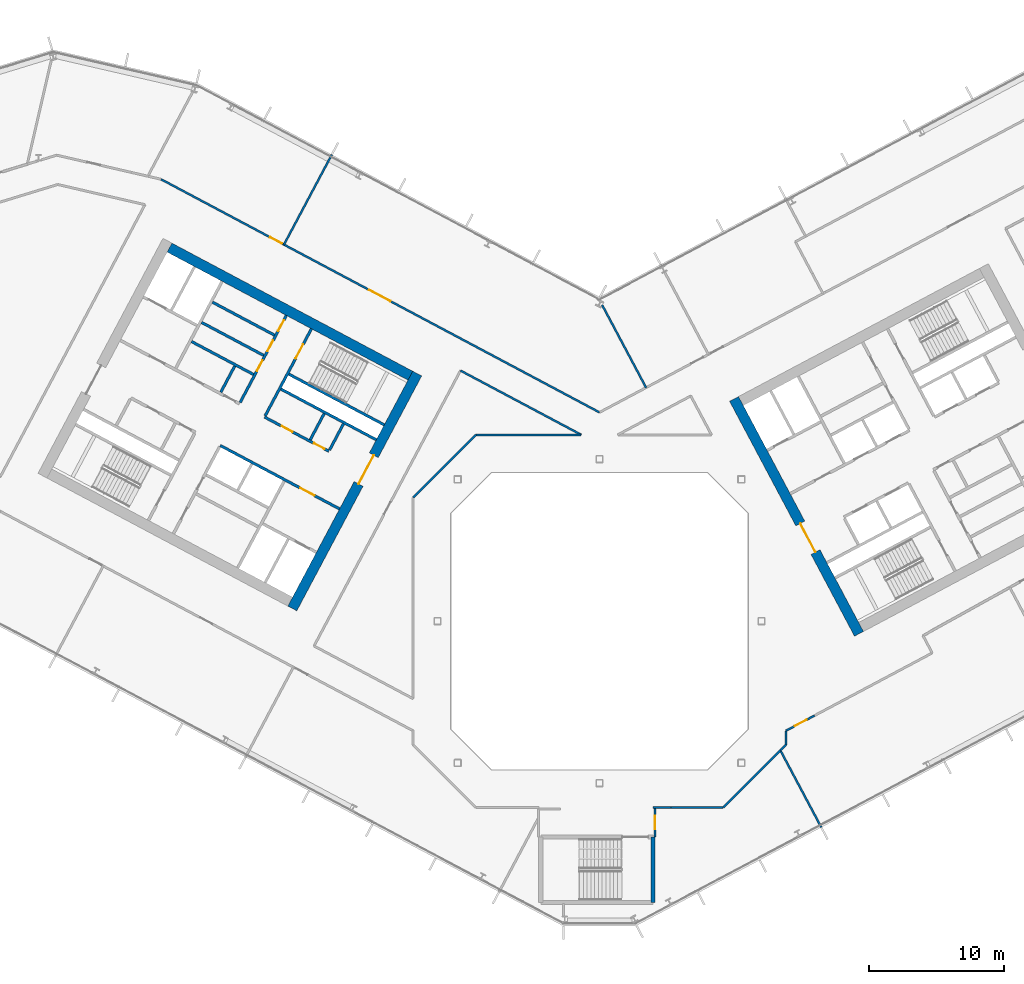
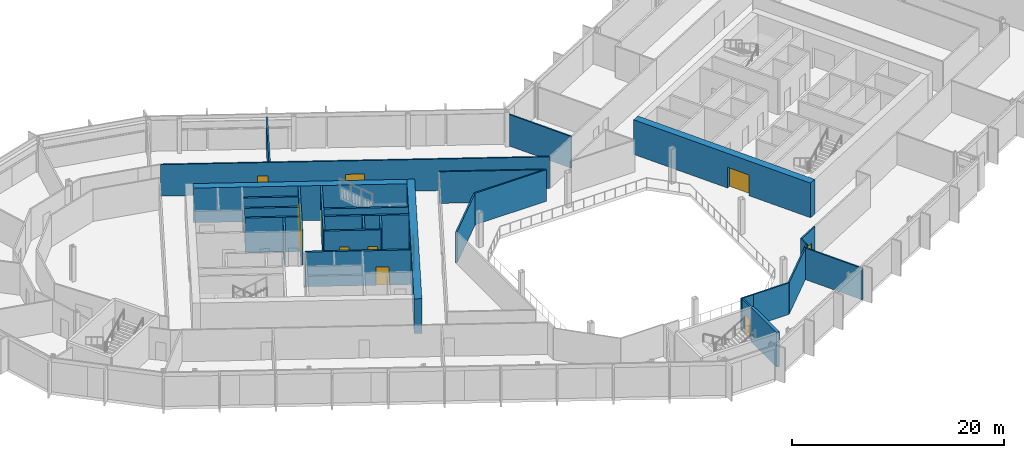
# One storey, part 15 of 28: 30 walls, 13 doors, 13 openings.
"""IFC4 building model written with IfcOpenShell, lengths in metres."""

import ifcopenshell
import ifcopenshell.guid

model = None  # the IFC model being written
_history = None  # IfcOwnerHistory: only IFC2X3 demands one
_inside = {}  # id of a spatial element -> (the spatial element, [elements in it])
_under = {}  # id of a project, library or spatial element -> (it, [spatial elements below it])
_declared = {}  # id of a project -> (the project, [libraries it declares])
_typed = {}  # id of a type object -> (the type object, [elements of that type])
_made_of = {}  # id of a material, layer set ... -> (it, [elements and type objects made of it])


def new_model(schema):
    """Start an empty IFC model of exactly this schema.

    Asked for "IFC4X3", IfcOpenShell would pick the latest addendum, in which some entities
    have other attributes; the version numbers below select the first issue.
    IFC2X3 requires an IfcOwnerHistory on every rooted entity: one is made here for all.
    """
    global model, _history
    if schema == "IFC4X3":
        model = ifcopenshell.file(schema_version=(4, 3, 0, 0))
    else:
        model = ifcopenshell.file(schema=schema)
    _inside.clear()
    _under.clear()
    _declared.clear()
    _typed.clear()
    _made_of.clear()
    _history = None
    if model.schema == "IFC2X3":
        org = make("IfcOrganization", Name="unknown")
        user = make(
            "IfcPersonAndOrganization",
            ThePerson=make("IfcPerson", FamilyName="unknown"),
            TheOrganization=org,
        )
        app = make(
            "IfcApplication",
            ApplicationDeveloper=org,
            Version="unknown",
            ApplicationFullName="unknown",
            ApplicationIdentifier="unknown",
        )
        _history = make(
            "IfcOwnerHistory",
            OwningUser=user,
            OwningApplication=app,
            ChangeAction="ADDED",
            CreationDate=0,
        )
    return model


def make(cls, **values):
    """One entity of the class cls with the attributes given. An attribute that is None is left unset."""
    return model.create_entity(
        cls, **{name: value for name, value in values.items() if value is not None}
    )


def rooted(cls, **values):
    """An entity with a GlobalId (a new one), such as an element, a storey or a relation."""
    return make(cls, GlobalId=ifcopenshell.guid.new(), OwnerHistory=_history, **values)


def si_unit(unit_type, name, prefix=None):
    """IfcSIUnit, for example si_unit("LENGTHUNIT", "METRE", prefix="MILLI")."""
    return make("IfcSIUnit", UnitType=unit_type, Prefix=prefix, Name=name)


def assignment(units):
    """IfcUnitAssignment: the units of a project."""
    return None if units is None else make("IfcUnitAssignment", Units=units)


def point(xyz):
    """IfcCartesianPoint."""
    return None if xyz is None else make("IfcCartesianPoint", Coordinates=xyz)


def direction(xyz):
    """IfcDirection."""
    return None if xyz is None else make("IfcDirection", DirectionRatios=xyz)


def frame(location, z_axis=None, x_axis=None):
    """IfcAxis2Placement3D, a coordinate frame: its origin and axes. An axis left out is left unset."""
    return make(
        "IfcAxis2Placement3D",
        Location=point(location),
        Axis=direction(z_axis),
        RefDirection=direction(x_axis),
    )


def frame_2d(location, x_axis=None):
    """IfcAxis2Placement2D, a coordinate frame in the plane: its origin and x axis."""
    return make(
        "IfcAxis2Placement2D", Location=point(location), RefDirection=direction(x_axis)
    )


def origin():
    """The frame at (0, 0, 0) with its axes left unset."""
    return frame((0.0, 0.0, 0.0))


def place(relative_to, where):
    """IfcLocalPlacement: puts the frame where relative to a parent placement (None: the world)."""
    return make(
        "IfcLocalPlacement", PlacementRelTo=relative_to, RelativePlacement=where
    )


def context(
    kind, dimensions, precision=None, world=None, true_north=None, identifier=None
):
    """IfcGeometricRepresentationContext, for example the 3D "Model" context."""
    return make(
        "IfcGeometricRepresentationContext",
        ContextIdentifier=identifier,
        ContextType=kind,
        CoordinateSpaceDimension=dimensions,
        Precision=precision,
        WorldCoordinateSystem=world,
        TrueNorth=true_north,
    )


def subcontext(parent, identifier, kind, view, scale=None):
    """IfcGeometricRepresentationSubContext, for example "Body" below "Model"."""
    return make(
        "IfcGeometricRepresentationSubContext",
        ContextIdentifier=identifier,
        ContextType=kind,
        ParentContext=parent,
        TargetScale=scale,
        TargetView=view,
    )


def project(units=None, contexts=None):
    """IfcProject with its units and contexts."""
    return rooted(
        "IfcProject",
        Name="project",
        RepresentationContexts=contexts,
        UnitsInContext=assignment(units),
    )


def spatial(cls, under=None, at=None, **own):
    """A site, building, storey or space (cls), placed at a placement, below another one or the project."""
    s = rooted(cls, ObjectPlacement=at, **own)
    if under is not None:
        _under.setdefault(under.id(), (under, []))[1].append(s)
    return s


def profile(cls, at=None, kind="AREA", **sizes):
    """A parametric profile (cls). Its sizes go by their IFC names, for example OverallWidth=200.0."""
    return make(cls, ProfileType=kind, Position=at, **sizes)


def rectangle(**sizes):
    """IfcRectangleProfileDef."""
    return profile("IfcRectangleProfileDef", **sizes)


def extrude(swept, where, along, depth):
    """IfcExtrudedAreaSolid: the profile swept, set in the frame where, extruded along a direction by depth."""
    return make(
        "IfcExtrudedAreaSolid",
        SweptArea=swept,
        Position=where,
        ExtrudedDirection=direction(along),
        Depth=depth,
    )


def shape(context_of_items, identifier, shape_type, items):
    """IfcShapeRepresentation: the items that make up one representation, for example the "Body"."""
    return make(
        "IfcShapeRepresentation",
        ContextOfItems=context_of_items,
        RepresentationIdentifier=identifier,
        RepresentationType=shape_type,
        Items=items,
    )


def material(Name=None, Category=None):
    """IfcMaterial."""
    return make("IfcMaterial", Name=Name, Category=Category)


def layer(
    of_material, thickness, ventilated=None, Name=None, Category=None, Priority=None
):
    """IfcMaterialLayer: one layer of a wall or slab, of a material (None: an air gap)."""
    return make(
        "IfcMaterialLayer",
        Material=of_material,
        LayerThickness=thickness,
        IsVentilated=ventilated,
        Name=Name,
        Category=Category,
        Priority=Priority,
    )


def layer_set(layers, Name=None):
    """IfcMaterialLayerSet."""
    return make("IfcMaterialLayerSet", MaterialLayers=layers, LayerSetName=Name)


def made_of(thing, what):
    """Note that an element or type object is made of a material, layer set ...; save() writes the relation."""
    if what is not None:
        _made_of.setdefault(what.id(), (what, []))[1].append(thing)
    return thing


def type_object(cls, material=None, **own):
    """A type object (cls), such as IfcWallType, which elements share."""
    return made_of(rooted(cls, **own), material)


def element(
    cls,
    number,
    at=None,
    inside=None,
    cuts=None,
    type_object=None,
    material=None,
    context=None,
    identifier="Body",
    shape_type=None,
    held_by="IfcProductDefinitionShape",
    body=None,
    shapes=None,
    **own,
):
    """One element of the class cls, such as IfcWall. Its Tag is "e" and its number.

    at: its placement. inside: the storey or other place that contains it. cuts: it is an
    opening in that element (IfcRelVoidsElement). A single representation is given by context,
    identifier, shape_type and body (its items); several are given by shapes. held_by: the class
    of the entity that holds the representations. save() writes the other relations.
    """
    e = rooted(cls, Tag="e%d" % number, ObjectPlacement=at, **own)
    if body is not None:
        shapes = [shape(context, identifier, shape_type, body)]
    if shapes is not None:
        e.Representation = make(held_by, Representations=shapes)
    if inside is not None:
        _inside.setdefault(inside.id(), (inside, []))[1].append(e)
    if cuts is not None:
        rooted(
            "IfcRelVoidsElement", RelatingBuildingElement=cuts, RelatedOpeningElement=e
        )
    if type_object is not None:
        _typed.setdefault(type_object.id(), (type_object, []))[1].append(e)
    return made_of(e, material)


def fill(opening, filler):
    """IfcRelFillsElement: the door or window that sits in an opening."""
    return rooted(
        "IfcRelFillsElement",
        RelatingOpeningElement=opening,
        RelatedBuildingElement=filler,
    )


def aggregate(whole, parts):
    """IfcRelAggregates: a whole, such as a stair, and the parts it consists of."""
    return rooted("IfcRelAggregates", RelatingObject=whole, RelatedObjects=parts)


def save(model, path):
    """Write the relations noted so far, then the file.

    IfcRelAggregates (storeys below a building ...), IfcRelContainedInSpatialStructure (elements
    in a storey), IfcRelDefinesByType, IfcRelAssociatesMaterial and IfcRelDeclares: one each for
    every whole, place, type object, material and project.
    """
    for whole, parts in _under.values():
        aggregate(whole, parts)
    for where, things in _inside.values():
        rooted(
            "IfcRelContainedInSpatialStructure",
            RelatedElements=things,
            RelatingStructure=where,
        )
    for kind, things in _typed.values():
        rooted("IfcRelDefinesByType", RelatedObjects=things, RelatingType=kind)
    for what, things in _made_of.values():
        rooted("IfcRelAssociatesMaterial", RelatedObjects=things, RelatingMaterial=what)
    for by, libraries in _declared.values():
        rooted("IfcRelDeclares", RelatingContext=by, RelatedDefinitions=libraries)
    model.write(path)


model = new_model("IFC4")

# Units and contexts
model_context = context("Model", 3, precision=1e-05, world=origin(), true_north=direction((0.0, 1.0)))
body_context = subcontext(model_context, "Body", "Model", "MODEL_VIEW")
ifc_project = project(units=[si_unit("LENGTHUNIT", "METRE"), si_unit("AREAUNIT", "SQUARE_METRE"), si_unit("VOLUMEUNIT", "CUBIC_METRE"), si_unit("PLANEANGLEUNIT", "RADIAN"), si_unit("MASSUNIT", "GRAM", prefix="KILO")], contexts=[model_context])

# Site, building, storey
site_placement = place(None, origin())
site = spatial("IfcSite", under=ifc_project, at=site_placement, CompositionType="ELEMENT")
building_placement = place(site_placement, origin())
building = spatial("IfcBuilding", under=site, at=building_placement, Name="Cormorant Relay Tower", CompositionType="ELEMENT")
storey_placement = place(building_placement, frame((0.0, 0.0, 122.199951171875)))
storey = spatial("IfcBuildingStorey", under=building, at=storey_placement, Name="L24", CompositionType="ELEMENT", Elevation=122.199951171875)

# Walls
ifc_material_1 = material(Name="Concrete 40 MPa", Category="concrete")
ifc_layer_1 = layer(ifc_material_1, 0.199951171875)
ifc_layer_set_1 = layer_set([ifc_layer_1], Name="Core internal wall 200")
wall_type_1 = type_object("IfcWallType", Name="Core internal wall 200", PredefinedType="SOLIDWALL", material=ifc_layer_set_1)
for number, where, z_axis, x_axis, name in (
    (1, (-20.39013671875, 15.371826171875, 0.0), (0.0, 0.0, 1.0), (-0.4694473164, -0.882960484464, 0.0), "L24 core A shaft and room wall"),
    (2, (-27.01220703125, 18.892822265625, 0.0), (0.0, 0.0, 1.0), (-0.4694473164, -0.882960484464, 0.0), "L24 core A shaft and room wall"),
):
    element("IfcWall", number, at=place(storey_placement, frame(where, z_axis=z_axis, x_axis=x_axis)), inside=storey, type_object=wall_type_1, Name=name, PredefinedType="SOLIDWALL", context=body_context, shape_type="SweptSolid", body=[
        extrude(rectangle(XDim=2.199951171875, YDim=0.199951171875, at=frame_2d((1.10009765625, 0.0))), origin(), (0.0, 0.0, 1.0), 4.0),
    ])
for number, where, z_axis, x_axis, name in (
    (3, (-24.073974609375, 21.181396484375, 0.0), (0.0, 0.0, 1.0), (-0.882953967957, 0.469459572775, 0.0), "L24 core A shaft and room wall"),
    (4, (-24.8720703125, 19.680419921875, 0.0), (0.0, 0.0, 1.0), (-0.882953967957, 0.469459572775, 0.0), "L24 core A shaft and room wall"),
):
    element("IfcWall", number, at=place(storey_placement, frame(where, z_axis=z_axis, x_axis=x_axis)), inside=storey, type_object=wall_type_1, Name=name, PredefinedType="SOLIDWALL", context=body_context, shape_type="SweptSolid", body=[
        extrude(rectangle(XDim=5.199951171875, YDim=0.199951171875, at=frame_2d((2.60009765625, 0.0))), origin(), (0.0, 0.0, 1.0), 4.0),
    ])
ifc_material_2 = material(Name="Concrete 50 MPa", Category="concrete")
ifc_layer_2 = layer(ifc_material_2, 0.199951171875)
ifc_layer_set_2 = layer_set([ifc_layer_2], Name="Core shaft wall 200")
wall_type_2 = type_object("IfcWallType", Name="Core shaft wall 200", PredefinedType="SHEAR", material=ifc_layer_set_2)
wall_1_placement = place(storey_placement, frame((-18.959716796875, 14.611328125, 0.0), z_axis=(0.0, 0.0, 1.0), x_axis=(-0.4694473164, -0.882960484464, 0.0)))
element("IfcWall", 5, at=wall_1_placement, inside=storey, type_object=wall_type_2, Name="L24 core A shaft wall", PredefinedType="SHEAR", context=body_context, shape_type="SweptSolid", body=[
    extrude(rectangle(XDim=2.199951171875, YDim=0.199951171875, at=frame_2d((1.10009765625, 0.0))), origin(), (0.0, 0.0, 1.0), 4.0),
])

# Wall, opening, door
wall_2_placement = place(storey_placement, frame((-21.333251953125, 21.6494140625, 0.0), z_axis=(0.0, 0.0, 1.0), x_axis=(-0.469494272526, -0.882935517501, 0.0)))
wall_2 = element("IfcWall", 6, at=wall_2_placement, inside=storey, type_object=wall_type_2, Name="L24 core A shaft wall", PredefinedType="SHEAR", context=body_context, shape_type="SweptSolid", body=[
    extrude(rectangle(XDim=7.2998046875, YDim=0.199951171875, at=frame_2d((3.64990234375, 0.0))), origin(), (0.0, 0.0, 1.0), 4.0),
])
opening_1_placement = place(wall_2_placement, frame((1.300048828125, 0.0, 0.0)))
opening_1 = element("IfcOpeningElement", 7, at=opening_1_placement, cuts=wall_2, Name="Opening CDB-034", PredefinedType="OPENING", context=body_context, shape_type="SweptSolid", body=[
    extrude(rectangle(XDim=1.199951171875, YDim=2.10009765625, at=frame_2d((0.60009765625, 1.050048828125))), frame((0.0, 0.10986328125, 0.0), z_axis=(0.0, -1.0, 0.0), x_axis=(1.0, 0.0, 0.0)), (0.0, 0.0, 1.0), 0.219970703125),
])
ifc_material_3 = material(Name="Steel fire door", Category="steel")
door_type_1 = type_object("IfcDoorType", Name="Core stair door 1200x2100", OperationType="SINGLE_SWING_LEFT", PredefinedType="DOOR", material=ifc_material_3)
door_1_placement = place(opening_1_placement, origin())
door_1 = element("IfcDoor", 8, at=door_1_placement, inside=storey, type_object=door_type_1, Name="Core stair door 1200x2100", OperationType="SINGLE_SWING_RIGHT", OverallHeight=2.10009765625, OverallWidth=1.199951171875, PredefinedType="DOOR", context=body_context, shape_type="SweptSolid", body=[
    extrude(rectangle(XDim=1.199951171875, YDim=2.10009765625, at=frame_2d((0.60009765625, 1.050048828125))), frame((0.0, 0.02490234375, 0.0), z_axis=(0.0, -1.0, 0.0), x_axis=(1.0, 0.0, 0.0)), (0.0, 0.0, 1.0), 0.050048828125),
])
fill(opening_1, door_1)

# Wall, openings, doors
wall_3_placement = place(storey_placement, frame((-23.1875, 22.635498046875, 0.0), z_axis=(0.0, 0.0, 1.0), x_axis=(-0.469454336211, -0.882956752176, 0.0)))
wall_3 = element("IfcWall", 9, at=wall_3_placement, inside=storey, type_object=wall_type_2, Name="L24 core A shaft wall", PredefinedType="SHEAR", context=body_context, shape_type="SweptSolid", body=[
    extrude(rectangle(XDim=7.300048828125, YDim=0.199951171875, at=frame_2d((3.64990234375, 0.0))), origin(), (0.0, 0.0, 1.0), 4.0),
])
opening_2_placement = place(wall_3_placement, frame((0.39990234375, 0.0, 0.0)))
opening_2 = element("IfcOpeningElement", 10, at=opening_2_placement, cuts=wall_3, Name="Opening CDD-174", PredefinedType="OPENING", context=body_context, shape_type="SweptSolid", body=[
    extrude(rectangle(XDim=0.89990234375, YDim=2.10009765625, at=frame_2d((0.449951171875, 1.050048828125))), frame((0.0, 0.10986328125, 0.0), z_axis=(0.0, -1.0, 0.0), x_axis=(1.0, 0.0, 0.0)), (0.0, 0.0, 1.0), 0.219970703125),
])
opening_3_placement = place(wall_3_placement, frame((2.10009765625, 0.0, 0.0)))
opening_3 = element("IfcOpeningElement", 11, at=opening_3_placement, cuts=wall_3, Name="Opening CDD-175", PredefinedType="OPENING", context=body_context, shape_type="SweptSolid", body=[
    extrude(rectangle(XDim=0.89990234375, YDim=2.10009765625, at=frame_2d((0.449951171875, 1.050048828125))), frame((0.0, 0.10986328125, 0.0), z_axis=(0.0, -1.0, 0.0), x_axis=(1.0, 0.0, 0.0)), (0.0, 0.0, 1.0), 0.219970703125),
])
opening_4_placement = place(wall_3_placement, frame((3.75, 0.0, 0.0)))
opening_4 = element("IfcOpeningElement", 12, at=opening_4_placement, cuts=wall_3, Name="Opening CDD-176", PredefinedType="OPENING", context=body_context, shape_type="SweptSolid", body=[
    extrude(rectangle(XDim=0.89990234375, YDim=2.10009765625, at=frame_2d((0.449951171875, 1.050048828125))), frame((0.0, 0.10986328125, 0.0), z_axis=(0.0, -1.0, 0.0), x_axis=(1.0, 0.0, 0.0)), (0.0, 0.0, 1.0), 0.219970703125),
])
ifc_material_4 = material(Name="Steel fire door", Category="steel")
door_type_2 = type_object("IfcDoorType", Name="Core room door 900x2100", OperationType="SINGLE_SWING_LEFT", PredefinedType="DOOR", material=ifc_material_4)
door_2_placement = place(opening_2_placement, origin())
door_2 = element("IfcDoor", 13, at=door_2_placement, inside=storey, type_object=door_type_2, Name="Core room door 900x2100", OperationType="SINGLE_SWING_LEFT", OverallHeight=2.10009765625, OverallWidth=0.89990234375, PredefinedType="DOOR", context=body_context, shape_type="SweptSolid", body=[
    extrude(rectangle(XDim=0.89990234375, YDim=2.10009765625, at=frame_2d((0.449951171875, 1.050048828125))), frame((0.0, 0.02490234375, 0.0), z_axis=(0.0, -1.0, 0.0), x_axis=(1.0, 0.0, 0.0)), (0.0, 0.0, 1.0), 0.050048828125),
])
fill(opening_2, door_2)
door_3_placement = place(opening_3_placement, origin())
door_3 = element("IfcDoor", 14, at=door_3_placement, inside=storey, type_object=door_type_2, Name="Core room door 900x2100", OperationType="SINGLE_SWING_LEFT", OverallHeight=2.10009765625, OverallWidth=0.89990234375, PredefinedType="DOOR", context=body_context, shape_type="SweptSolid", body=[
    extrude(rectangle(XDim=0.89990234375, YDim=2.10009765625, at=frame_2d((0.449951171875, 1.050048828125))), frame((0.0, 0.02490234375, 0.0), z_axis=(0.0, -1.0, 0.0), x_axis=(1.0, 0.0, 0.0)), (0.0, 0.0, 1.0), 0.050048828125),
])
fill(opening_3, door_3)
door_4_placement = place(opening_4_placement, origin())
door_4 = element("IfcDoor", 15, at=door_4_placement, inside=storey, type_object=door_type_2, Name="Core room door 900x2100", OperationType="SINGLE_SWING_LEFT", OverallHeight=2.10009765625, OverallWidth=0.89990234375, PredefinedType="DOOR", context=body_context, shape_type="SweptSolid", body=[
    extrude(rectangle(XDim=0.89990234375, YDim=2.10009765625, at=frame_2d((0.449951171875, 1.050048828125))), frame((0.0, 0.02490234375, 0.0), z_axis=(0.0, -1.0, 0.0), x_axis=(1.0, 0.0, 0.0)), (0.0, 0.0, 1.0), 0.050048828125),
])
fill(opening_4, door_4)

# Walls
wall_4_placement = place(storey_placement, frame((-15.94189453125, 14.53564453125, 0.0), z_axis=(0.0, 0.0, 1.0), x_axis=(-0.882946947542, 0.469472776449, 0.0)))
element("IfcWall", 16, at=wall_4_placement, inside=storey, type_object=wall_type_2, Name="L24 core A shaft wall", PredefinedType="SHEAR", context=body_context, shape_type="SweptSolid", body=[
    extrude(rectangle(XDim=8.000244140625, YDim=0.199951171875, at=frame_2d((4.0, 0.0))), origin(), (0.0, 0.0, 1.0), 4.0),
])
wall_5_placement = place(storey_placement, frame((-16.52880859375, 13.43212890625, 0.0), z_axis=(0.0, 0.0, 1.0), x_axis=(-0.88295287151, 0.469461634952, 0.0)))
element("IfcWall", 17, at=wall_5_placement, inside=storey, type_object=wall_type_2, Name="L24 core A shaft wall", PredefinedType="SHEAR", context=body_context, shape_type="SweptSolid", body=[
    extrude(rectangle(XDim=7.999755859375, YDim=0.199951171875, at=frame_2d((4.0, 0.0))), origin(), (0.0, 0.0, 1.0), 4.0),
])
wall_6_placement = place(storey_placement, frame((-25.623046875, 18.267578125, 0.0), z_axis=(0.0, 0.0, 1.0), x_axis=(-0.882953967957, 0.469459572775, 0.0)))
element("IfcWall", 18, at=wall_6_placement, inside=storey, type_object=wall_type_2, Name="L24 core A shaft wall", PredefinedType="SHEAR", context=body_context, shape_type="SweptSolid", body=[
    extrude(rectangle(XDim=5.199951171875, YDim=0.199951171875, at=frame_2d((2.60009765625, 0.0))), origin(), (0.0, 0.0, 1.0), 4.0),
])

# Wall, openings, doors
wall_7_placement = place(storey_placement, frame((-20.03955078125, 12.58056640625, 0.0), z_axis=(0.0, 0.0, 1.0), x_axis=(-0.882942972946, 0.469480251476, 0.0)))
wall_7 = element("IfcWall", 19, at=wall_7_placement, inside=storey, type_object=wall_type_2, Name="L24 core A shaft wall", PredefinedType="SHEAR", context=body_context, shape_type="SweptSolid", body=[
    extrude(rectangle(XDim=5.39990234375, YDim=0.199951171875, at=frame_2d((2.699951171875, 0.0))), origin(), (0.0, 0.0, 1.0), 4.0),
])
opening_5_placement = place(wall_7_placement, frame((0.360107421875, 0.0, 0.0)))
opening_5 = element("IfcOpeningElement", 20, at=opening_5_placement, cuts=wall_7, Name="Opening CDD-168", PredefinedType="OPENING", context=body_context, shape_type="SweptSolid", body=[
    extrude(rectangle(XDim=0.89990234375, YDim=2.10009765625, at=frame_2d((0.449951171875, 1.050048828125))), frame((0.0, 0.10986328125, 0.0), z_axis=(0.0, -1.0, 0.0), x_axis=(1.0, 0.0, 0.0)), (0.0, 0.0, 1.0), 0.219970703125),
])
opening_6_placement = place(wall_7_placement, frame((3.06005859375, 0.0, 0.0)))
opening_6 = element("IfcOpeningElement", 21, at=opening_6_placement, cuts=wall_7, Name="Opening CDD-169", PredefinedType="OPENING", context=body_context, shape_type="SweptSolid", body=[
    extrude(rectangle(XDim=0.89990234375, YDim=2.10009765625, at=frame_2d((0.449951171875, 1.050048828125))), frame((0.0, 0.10986328125, 0.0), z_axis=(0.0, -1.0, 0.0), x_axis=(1.0, 0.0, 0.0)), (0.0, 0.0, 1.0), 0.219970703125),
])
door_5_placement = place(opening_5_placement, origin())
door_5 = element("IfcDoor", 22, at=door_5_placement, inside=storey, type_object=door_type_2, Name="Core room door 900x2100", OperationType="SINGLE_SWING_LEFT", OverallHeight=2.10009765625, OverallWidth=0.89990234375, PredefinedType="DOOR", context=body_context, shape_type="SweptSolid", body=[
    extrude(rectangle(XDim=0.89990234375, YDim=2.10009765625, at=frame_2d((0.449951171875, 1.050048828125))), frame((0.0, 0.02490234375, 0.0), z_axis=(0.0, -1.0, 0.0), x_axis=(1.0, 0.0, 0.0)), (0.0, 0.0, 1.0), 0.050048828125),
])
fill(opening_5, door_5)
door_6_placement = place(opening_6_placement, origin())
door_6 = element("IfcDoor", 23, at=door_6_placement, inside=storey, type_object=door_type_2, Name="Core room door 900x2100", OperationType="SINGLE_SWING_LEFT", OverallHeight=2.10009765625, OverallWidth=0.89990234375, PredefinedType="DOOR", context=body_context, shape_type="SweptSolid", body=[
    extrude(rectangle(XDim=0.89990234375, YDim=2.10009765625, at=frame_2d((0.449951171875, 1.050048828125))), frame((0.0, 0.02490234375, 0.0), z_axis=(0.0, -1.0, 0.0), x_axis=(1.0, 0.0, 0.0)), (0.0, 0.0, 1.0), 0.050048828125),
])
fill(opening_6, door_6)

# Wall, opening, door
wall_8_placement = place(storey_placement, frame((-19.251708984375, 8.31103515625, 0.0), z_axis=(0.0, 0.0, 1.0), x_axis=(-0.882955722218, 0.469456273365, 0.0)))
wall_8 = element("IfcWall", 24, at=wall_8_placement, inside=storey, type_object=wall_type_2, Name="L24 core A shaft wall", PredefinedType="SHEAR", context=body_context, shape_type="SweptSolid", body=[
    extrude(rectangle(XDim=10.0, YDim=0.199951171875, at=frame_2d((5.0, 0.0))), origin(), (0.0, 0.0, 1.0), 4.0),
])
opening_7_placement = place(wall_8_placement, frame((2.10009765625, 0.0, 0.0)))
opening_7 = element("IfcOpeningElement", 25, at=opening_7_placement, cuts=wall_8, Name="Opening CDC-025", PredefinedType="OPENING", context=body_context, shape_type="SweptSolid", body=[
    extrude(rectangle(XDim=1.199951171875, YDim=2.10009765625, at=frame_2d((0.60009765625, 1.050048828125))), frame((0.0, 0.10986328125, 0.0), z_axis=(0.0, -1.0, 0.0), x_axis=(1.0, 0.0, 0.0)), (0.0, 0.0, 1.0), 0.219970703125),
])
ifc_material_5 = material(Name="Steel fire door", Category="steel")
door_type_3 = type_object("IfcDoorType", Name="Core lobby door 1200x2100", OperationType="SINGLE_SWING_LEFT", PredefinedType="DOOR", material=ifc_material_5)
door_7_placement = place(opening_7_placement, origin())
door_7 = element("IfcDoor", 26, at=door_7_placement, inside=storey, type_object=door_type_3, Name="Core lobby door 1200x2100", OperationType="SINGLE_SWING_RIGHT", OverallHeight=2.10009765625, OverallWidth=1.199951171875, PredefinedType="DOOR", context=body_context, shape_type="SweptSolid", body=[
    extrude(rectangle(XDim=1.199951171875, YDim=2.10009765625, at=frame_2d((0.60009765625, 1.050048828125))), frame((0.0, 0.02490234375, 0.0), z_axis=(0.0, -1.0, 0.0), x_axis=(1.0, 0.0, 0.0)), (0.0, 0.0, 1.0), 0.050048828125),
])
fill(opening_7, door_7)

ifc_material_6 = material(Name="Concrete 60 MPa", Category="concrete")
ifc_layer_3 = layer(ifc_material_6, 0.75)
ifc_layer_set_3 = layer_set([ifc_layer_3], Name="Core wall 750")
wall_type_3 = type_object("IfcWallType", Name="Core wall 750", PredefinedType="SHEAR", material=ifc_layer_set_3)
wall_9_placement = place(storey_placement, frame((-13.498291015625, 18.3330078125, 0.0), z_axis=(0.0, 0.0, 1.0), x_axis=(-0.469469918705, -0.88294846703, 0.0)))
wall_9 = element("IfcWall", 27, at=wall_9_placement, inside=storey, type_object=wall_type_3, Name="L24 core A wall", PredefinedType="SHEAR", context=body_context, shape_type="SweptSolid", body=[
    extrude(rectangle(XDim=19.699951171875, YDim=0.75, at=frame_2d((9.85009765625, 0.0))), origin(), (0.0, 0.0, 1.0), 4.0),
])
opening_8_placement = place(wall_9_placement, frame((6.85009765625, 0.0, 0.0)))
opening_8 = element("IfcOpeningElement", 28, at=opening_8_placement, cuts=wall_9, Name="Opening CDA-026", PredefinedType="OPENING", context=body_context, shape_type="SweptSolid", body=[
    extrude(rectangle(XDim=2.39990234375, YDim=2.39990234375, at=frame_2d((1.199951171875, 1.199951171875))), frame((0.0, 0.385009765625, 0.0), z_axis=(0.0, -1.0, 0.0), x_axis=(1.0, 0.0, 0.0)), (0.0, 0.0, 1.0), 0.77001953125),
])
ifc_material_7 = material(Name="Steel fire door", Category="steel")
door_type_4 = type_object("IfcDoorType", Name="Core lobby door 2400x2400", OperationType="DOUBLE_DOOR_SINGLE_SWING", PredefinedType="DOOR", material=ifc_material_7)
door_8_placement = place(opening_8_placement, origin())
door_8 = element("IfcDoor", 29, at=door_8_placement, inside=storey, type_object=door_type_4, Name="Core lobby door 2400x2400", OperationType="DOUBLE_DOOR_SINGLE_SWING", OverallHeight=2.39990234375, OverallWidth=2.39990234375, PredefinedType="DOOR", context=body_context, shape_type="SweptSolid", body=[
    extrude(rectangle(XDim=2.39990234375, YDim=2.39990234375, at=frame_2d((1.199951171875, 1.199951171875))), frame((0.0, 0.02490234375, 0.0), z_axis=(0.0, -1.0, 0.0), x_axis=(1.0, 0.0, 0.0)), (0.0, 0.0, 1.0), 0.050048828125),
])
fill(opening_8, door_8)

# Wall
wall_10_placement = place(storey_placement, frame((-14.00537109375, 18.177978515625, 0.0), z_axis=(0.0, 0.0, 1.0), x_axis=(-0.88295010195, 0.469466843842, 0.0)))
element("IfcWall", 30, at=wall_10_placement, inside=storey, type_object=wall_type_3, Name="L24 core A wall", PredefinedType="SHEAR", context=body_context, shape_type="SweptSolid", body=[
    extrude(rectangle(XDim=20.199951171875, YDim=0.75, at=frame_2d((10.10009765625, 0.0))), origin(), (0.0, 0.0, 1.0), 4.0),
])

# Wall, opening, door
wall_11_placement = place(storey_placement, frame((19.215087890625, -0.93896484375, 0.0), z_axis=(0.0, 0.0, 1.0), x_axis=(-0.469479580143, 0.882943329908, 0.0)))
wall_11 = element("IfcWall", 31, at=wall_11_placement, inside=storey, type_object=wall_type_3, Name="L24 core B wall", PredefinedType="SHEAR", context=body_context, shape_type="SweptSolid", body=[
    extrude(rectangle(XDim=19.699951171875, YDim=0.75, at=frame_2d((9.85009765625, 0.0))), origin(), (0.0, 0.0, 1.0), 4.0),
])
opening_9_placement = place(wall_11_placement, frame((6.85009765625, 0.0, 0.0)))
opening_9 = element("IfcOpeningElement", 32, at=opening_9_placement, cuts=wall_11, Name="Opening CDA-028", PredefinedType="OPENING", context=body_context, shape_type="SweptSolid", body=[
    extrude(rectangle(XDim=2.39990234375, YDim=2.39990234375, at=frame_2d((1.199951171875, 1.199951171875))), frame((0.0, 0.385009765625, 0.0), z_axis=(0.0, -1.0, 0.0), x_axis=(1.0, 0.0, 0.0)), (0.0, 0.0, 1.0), 0.77001953125),
])
door_9_placement = place(opening_9_placement, frame((2.39990234375, 0.0, 0.0), z_axis=(0.0, 0.0, 1.0), x_axis=(-1.0, 0.0, 0.0)))
door_9 = element("IfcDoor", 33, at=door_9_placement, inside=storey, type_object=door_type_4, Name="Core lobby door 2400x2400", OperationType="DOUBLE_DOOR_SINGLE_SWING", OverallHeight=2.39990234375, OverallWidth=2.39990234375, PredefinedType="DOOR", context=body_context, shape_type="SweptSolid", body=[
    extrude(rectangle(XDim=2.39990234375, YDim=2.39990234375, at=frame_2d((1.199951171875, 1.199951171875))), frame((0.0, 0.02490234375, 0.0), z_axis=(0.0, -1.0, 0.0), x_axis=(1.0, 0.0, 0.0)), (0.0, 0.0, 1.0), 0.050048828125),
])
fill(opening_9, door_9)

# Wall, openings, doors
ifc_material_8 = material(Name="Gypsum board fire partition")
ifc_layer_4 = layer(ifc_material_8, 0.14990234375)
ifc_layer_set_4 = layer_set([ifc_layer_4], Name="Corridor partition 150 EI 60")
wall_type_4 = type_object("IfcWallType", Name="Corridor partition 150 EI 60", PredefinedType="PARTITIONING", material=ifc_layer_set_4)
wall_12_placement = place(storey_placement, frame((-32.469970703125, 32.72412109375, 0.0), z_axis=(0.0, 0.0, 1.0), x_axis=(0.88295243426, -0.469462457321, 0.0)))
wall_12 = element("IfcWall", 34, at=wall_12_placement, inside=storey, type_object=wall_type_4, Name="wall/L24/part/033", PredefinedType="PARTITIONING", context=body_context, shape_type="SweptSolid", body=[
    extrude(rectangle(XDim=36.7744140625, YDim=0.14990234375, at=frame_2d((18.38720703125, 0.0))), origin(), (0.0, 0.0, 1.0), 3.64013671875),
])
opening_10_placement = place(wall_12_placement, frame((17.449951171875, 0.0, 0.0)))
opening_10 = element("IfcOpeningElement", 35, at=opening_10_placement, cuts=wall_12, Name="Opening DD-004", PredefinedType="OPENING", context=body_context, shape_type="SweptSolid", body=[
    extrude(rectangle(XDim=1.800048828125, YDim=2.10009765625, at=frame_2d((0.89990234375, 1.050048828125))), frame((0.0, 0.0849609375, 0.0), z_axis=(0.0, -1.0, 0.0), x_axis=(1.0, 0.0, 0.0)), (0.0, 0.0, 1.0), 0.169921875),
])
opening_11_placement = place(wall_12_placement, frame((9.14990234375, 0.0, 0.0)))
opening_11 = element("IfcOpeningElement", 36, at=opening_11_placement, cuts=wall_12, Name="Opening DS-007", PredefinedType="OPENING", context=body_context, shape_type="SweptSolid", body=[
    extrude(rectangle(XDim=1.0, YDim=2.10009765625, at=frame_2d((0.5, 1.050048828125))), frame((0.0, 0.0849609375, 0.0), z_axis=(0.0, -1.0, 0.0), x_axis=(1.0, 0.0, 0.0)), (0.0, 0.0, 1.0), 0.169921875),
])
ifc_material_9 = material(Name="Timber door leaf", Category="wood")
door_type_5 = type_object("IfcDoorType", Name="Suite door 1000x2100", OperationType="SINGLE_SWING_LEFT", PredefinedType="DOOR", material=ifc_material_9)
door_10_placement = place(opening_11_placement, origin())
door_10 = element("IfcDoor", 37, at=door_10_placement, inside=storey, type_object=door_type_5, Name="door/L24/011", OperationType="SINGLE_SWING_RIGHT", OverallHeight=2.10009765625, OverallWidth=1.0, PredefinedType="DOOR", context=body_context, shape_type="SweptSolid", body=[
    extrude(rectangle(XDim=1.0, YDim=2.10009765625, at=frame_2d((0.5, 1.050048828125))), frame((0.0, 0.02490234375, 0.0), z_axis=(0.0, -1.0, 0.0), x_axis=(1.0, 0.0, 0.0)), (0.0, 0.0, 1.0), 0.050048828125),
])
fill(opening_11, door_10)
ifc_material_10 = material(Name="Timber door leaf", Category="wood")
door_type_6 = type_object("IfcDoorType", Name="Suite double door 1800x2100", OperationType="DOUBLE_DOOR_SINGLE_SWING", PredefinedType="DOOR", material=ifc_material_10)
door_11_placement = place(opening_10_placement, origin())
door_11 = element("IfcDoor", 38, at=door_11_placement, inside=storey, type_object=door_type_6, Name="door/L24/010", OperationType="DOUBLE_DOOR_SINGLE_SWING", OverallHeight=2.10009765625, OverallWidth=1.800048828125, PredefinedType="DOOR", context=body_context, shape_type="SweptSolid", body=[
    extrude(rectangle(XDim=1.800048828125, YDim=2.10009765625, at=frame_2d((0.89990234375, 1.050048828125))), frame((0.0, 0.02490234375, 0.0), z_axis=(0.0, -1.0, 0.0), x_axis=(1.0, 0.0, 0.0)), (0.0, 0.0, 1.0), 0.050048828125),
])
fill(opening_10, door_11)

# Wall, opening, door
wall_13_placement = place(storey_placement, frame((4.10009765625, -15.97509765625, 0.0), z_axis=(0.0, 0.0, 1.0), x_axis=(0.0, 1.0, 0.0)))
wall_13 = element("IfcWall", 39, at=wall_13_placement, inside=storey, type_object=wall_type_4, Name="wall/L24/part/045", PredefinedType="PARTITIONING", context=body_context, shape_type="SweptSolid", body=[
    extrude(rectangle(XDim=2.150146484375, YDim=0.14990234375, at=frame_2d((1.0751953125, 0.0))), origin(), (0.0, 0.0, 1.0), 3.64013671875),
])
opening_12_placement = place(wall_13_placement, frame((0.550048828125, 0.0, 0.0)))
opening_12 = element("IfcOpeningElement", 40, at=opening_12_placement, cuts=wall_13, Name="Opening DS-002", PredefinedType="OPENING", context=body_context, shape_type="SweptSolid", body=[
    extrude(rectangle(XDim=1.0, YDim=2.10009765625, at=frame_2d((0.5, 1.050048828125))), frame((0.0, 0.0849609375, 0.0), z_axis=(0.0, -1.0, 0.0), x_axis=(1.0, 0.0, 0.0)), (0.0, 0.0, 1.0), 0.169921875),
])
door_12_placement = place(opening_12_placement, frame((1.0, 0.0, 0.0), z_axis=(0.0, 0.0, 1.0), x_axis=(-1.0, 0.0, 0.0)))
door_12 = element("IfcDoor", 41, at=door_12_placement, inside=storey, type_object=door_type_5, Name="door/L24/003", OperationType="SINGLE_SWING_LEFT", OverallHeight=2.10009765625, OverallWidth=1.0, PredefinedType="DOOR", context=body_context, shape_type="SweptSolid", body=[
    extrude(rectangle(XDim=1.0, YDim=2.10009765625, at=frame_2d((0.5, 1.050048828125))), frame((0.0, 0.02490234375, 0.0), z_axis=(0.0, -1.0, 0.0), x_axis=(1.0, 0.0, 0.0)), (0.0, 0.0, 1.0), 0.050048828125),
])
fill(opening_12, door_12)

# Walls
wall_14_placement = place(storey_placement, frame((5.302978515625, -13.800048828125, 0.0), z_axis=(0.0, 0.0, 1.0), x_axis=(-1.0, 0.0, 0.0)))
element("IfcWall", 42, at=wall_14_placement, inside=storey, type_object=wall_type_4, Name="wall/L24/part/046", PredefinedType="PARTITIONING", context=body_context, shape_type="SweptSolid", body=[
    extrude(rectangle(XDim=1.35302734375, YDim=0.14990234375, at=frame_2d((0.676513671875, 0.0))), origin(), (0.0, 0.0, 1.0), 3.64013671875),
])
wall_15_placement = place(storey_placement, frame((13.39306640625, -9.56689453125, 0.0), z_axis=(0.0, 0.0, 1.0), x_axis=(-0.707106781187, -0.707106781187, 0.0)))
element("IfcWall", 43, at=wall_15_placement, inside=storey, type_object=wall_type_4, Name="wall/L24/part/048", PredefinedType="PARTITIONING", context=body_context, shape_type="SweptSolid", body=[
    extrude(rectangle(XDim=5.986572265625, YDim=0.14990234375, at=frame_2d((2.9931640625, 0.0))), origin(), (0.0, 0.0, 1.0), 3.64013671875),
])
wall_16_placement = place(storey_placement, frame((9.159912109375, -13.800048828125, 0.0), z_axis=(0.0, 0.0, 1.0), x_axis=(-1.0, 0.0, 0.0)))
element("IfcWall", 44, at=wall_16_placement, inside=storey, type_object=wall_type_4, Name="wall/L24/part/049", PredefinedType="PARTITIONING", context=body_context, shape_type="SweptSolid", body=[
    extrude(rectangle(XDim=3.85693359375, YDim=0.14990234375, at=frame_2d((1.928466796875, 0.0))), origin(), (0.0, 0.0, 1.0), 3.64013671875),
])
wall_17_placement = place(storey_placement, frame((13.800048828125, -8.14990234375, 0.0), z_axis=(0.0, 0.0, 1.0), x_axis=(0.0, -1.0, 0.0)))
element("IfcWall", 45, at=wall_17_placement, inside=storey, type_object=wall_type_4, Name="wall/L24/part/051", PredefinedType="PARTITIONING", context=body_context, shape_type="SweptSolid", body=[
    extrude(rectangle(XDim=1.010009765625, YDim=0.14990234375, at=frame_2d((0.5048828125, 0.0))), origin(), (0.0, 0.0, 1.0), 3.64013671875),
])
wall_18_placement = place(storey_placement, frame((13.800048828125, -9.159912109375, 0.0), z_axis=(0.0, 0.0, 1.0), x_axis=(-0.707106781187, -0.707106781187, 0.0)))
element("IfcWall", 46, at=wall_18_placement, inside=storey, type_object=wall_type_4, Name="wall/L24/part/052", PredefinedType="PARTITIONING", context=body_context, shape_type="SweptSolid", body=[
    extrude(rectangle(XDim=0.570068359375, YDim=0.14990234375, at=frame_2d((0.28515625, 0.0))), origin(), (0.0, 0.0, 1.0), 3.64013671875),
])

# Wall, opening, door
wall_19_placement = place(storey_placement, frame((13.800048828125, -8.1220703125, 0.0), z_axis=(0.0, 0.0, 1.0), x_axis=(0.883005513351, 0.469362613969, 0.0)))
wall_19 = element("IfcWall", 47, at=wall_19_placement, inside=storey, type_object=wall_type_4, Name="wall/L24/part/053", PredefinedType="PARTITIONING", context=body_context, shape_type="SweptSolid", body=[
    extrude(rectangle(XDim=2.409912109375, YDim=0.14990234375, at=frame_2d((1.205078125, 0.0))), origin(), (0.0, 0.0, 1.0), 3.64013671875),
])
opening_13_placement = place(wall_19_placement, frame((0.75, 0.0, 0.0)))
opening_13 = element("IfcOpeningElement", 48, at=opening_13_placement, cuts=wall_19, Name="Opening DS-003", PredefinedType="OPENING", context=body_context, shape_type="SweptSolid", body=[
    extrude(rectangle(XDim=1.0, YDim=2.10009765625, at=frame_2d((0.5, 1.050048828125))), frame((0.0, 0.0849609375, 0.0), z_axis=(0.0, -1.0, 0.0), x_axis=(1.0, 0.0, 0.0)), (0.0, 0.0, 1.0), 0.169921875),
])
door_13_placement = place(opening_13_placement, frame((1.0, 0.0, 0.0), z_axis=(0.0, 0.0, 1.0), x_axis=(-1.0, 0.0, 0.0)))
door_13 = element("IfcDoor", 49, at=door_13_placement, inside=storey, type_object=door_type_5, Name="door/L24/004", OperationType="SINGLE_SWING_RIGHT", OverallHeight=2.10009765625, OverallWidth=1.0, PredefinedType="DOOR", context=body_context, shape_type="SweptSolid", body=[
    extrude(rectangle(XDim=1.0, YDim=2.10009765625, at=frame_2d((0.5, 1.050048828125))), frame((0.0, 0.02490234375, 0.0), z_axis=(0.0, -1.0, 0.0), x_axis=(1.0, 0.0, 0.0)), (0.0, 0.0, 1.0), 0.050048828125),
])
fill(opening_13, door_13)

# Walls
wall_20_placement = place(storey_placement, frame((-10.2939453125, 18.554931640625, 0.0), z_axis=(0.0, 0.0, 1.0), x_axis=(0.882931500577, -0.469501826714, 0.0)))
element("IfcWall", 50, at=wall_20_placement, inside=storey, type_object=wall_type_4, Name="wall/L24/part/075", PredefinedType="PARTITIONING", context=body_context, shape_type="SweptSolid", body=[
    extrude(rectangle(XDim=10.12744140625, YDim=0.14990234375, at=frame_2d((5.063720703125, 0.0))), origin(), (0.0, 0.0, 1.0), 3.64013671875),
])
wall_21_placement = place(storey_placement, frame((-1.35205078125, 13.800048828125, 0.0), z_axis=(0.0, 0.0, 1.0), x_axis=(-1.0, 0.0, 0.0)))
element("IfcWall", 51, at=wall_21_placement, inside=storey, type_object=wall_type_4, Name="wall/L24/part/076", PredefinedType="PARTITIONING", context=body_context, shape_type="SweptSolid", body=[
    extrude(rectangle(XDim=7.807861328125, YDim=0.14990234375, at=frame_2d((3.90380859375, 0.0))), origin(), (0.0, 0.0, 1.0), 3.64013671875),
])
wall_22_placement = place(storey_placement, frame((-9.159912109375, 13.800048828125, 0.0), z_axis=(0.0, 0.0, 1.0), x_axis=(-0.707106781187, -0.707106781187, 0.0)))
element("IfcWall", 52, at=wall_22_placement, inside=storey, type_object=wall_type_4, Name="wall/L24/part/077", PredefinedType="PARTITIONING", context=body_context, shape_type="SweptSolid", body=[
    extrude(rectangle(XDim=6.562255859375, YDim=0.14990234375, at=frame_2d((3.28125, 0.0))), origin(), (0.0, 0.0, 1.0), 3.64013671875),
])
ifc_material_11 = material(Name="Concrete 50 MPa", Category="concrete")
ifc_layer_5 = layer(ifc_material_11, 0.300048828125)
ifc_layer_set_5 = layer_set([ifc_layer_5], Name="Remote stair wall 300")
wall_type_5 = type_object("IfcWallType", Name="Remote stair wall 300", PredefinedType="SHEAR", material=ifc_layer_set_5)
wall_23_placement = place(storey_placement, frame((3.949951171875, -15.97509765625, 0.0), z_axis=(0.0, 0.0, 1.0), x_axis=(0.0, -1.0, 0.0)))
element("IfcWall", 53, at=wall_23_placement, inside=storey, type_object=wall_type_5, Name="L24 exit stair RK1 wall", PredefinedType="SHEAR", context=body_context, shape_type="SweptSolid", body=[
    extrude(rectangle(XDim=4.849853515625, YDim=0.300048828125, at=frame_2d((2.4248046875, 0.0))), origin(), (0.0, 0.0, 1.0), 4.0),
])
ifc_material_12 = material(Name="Gypsum board partition")
ifc_layer_6 = layer(ifc_material_12, 0.14990234375)
ifc_layer_set_6 = layer_set([ifc_layer_6], Name="Tenant partition 150")
wall_type_6 = type_object("IfcWallType", Name="Tenant partition 150", PredefinedType="PARTITIONING", material=ifc_layer_set_6)
wall_24_placement = place(storey_placement, frame((-19.822021484375, 34.550048828125, 0.0), z_axis=(0.0, 0.0, 1.0), x_axis=(-0.469426325488, -0.88297164447, 0.0)))
element("IfcWall", 54, at=wall_24_placement, inside=storey, type_object=wall_type_6, Name="wall/L24/part/035", PredefinedType="PARTITIONING", context=body_context, shape_type="SweptSolid", body=[
    extrude(rectangle(XDim=7.549560546875, YDim=0.14990234375, at=frame_2d((3.77490234375, 0.0))), origin(), (0.0, 0.0, 1.0), 3.64013671875),
])
wall_25_placement = place(storey_placement, frame((0.19091796875, 23.422119140625, 0.0), z_axis=(0.0, 0.0, 1.0), x_axis=(0.46954180368, -0.882910241529, 0.0)))
element("IfcWall", 55, at=wall_25_placement, inside=storey, type_object=wall_type_6, Name="wall/L24/part/036", PredefinedType="PARTITIONING", context=body_context, shape_type="SweptSolid", body=[
    extrude(rectangle(XDim=6.94091796875, YDim=0.14990234375, at=frame_2d((3.470458984375, 0.0))), origin(), (0.0, 0.0, 1.0), 3.64013671875),
])
wall_26_placement = place(storey_placement, frame((13.39306640625, -9.56689453125, 0.0), z_axis=(0.0, 0.0, 1.0), x_axis=(0.469578527863, -0.882890710207, 0.0)))
element("IfcWall", 56, at=wall_26_placement, inside=storey, type_object=wall_type_6, Name="wall/L24/part/050", PredefinedType="PARTITIONING", context=body_context, shape_type="SweptSolid", body=[
    extrude(rectangle(XDim=6.465087890625, YDim=0.14990234375, at=frame_2d((3.232421875, 0.0))), origin(), (0.0, 0.0, 1.0), 3.64013671875),
])

save(model, "model.ifc")
